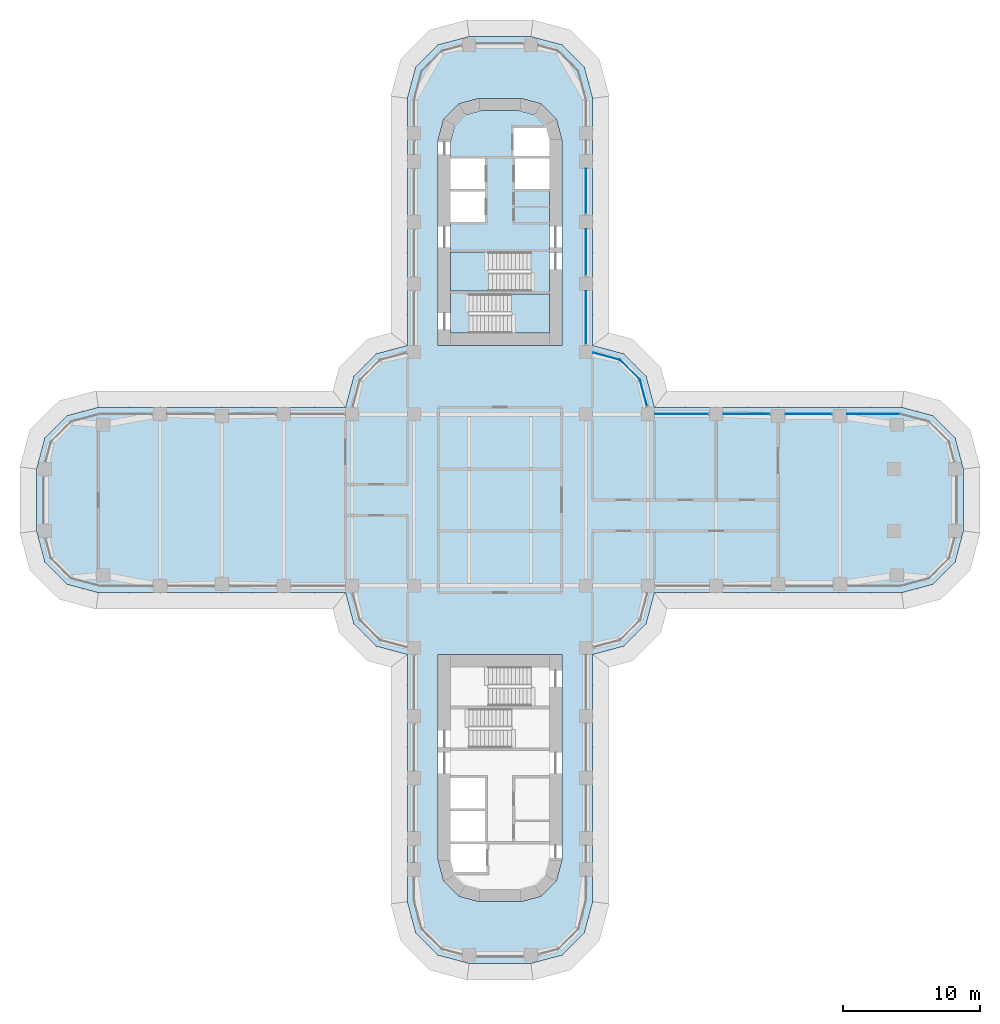
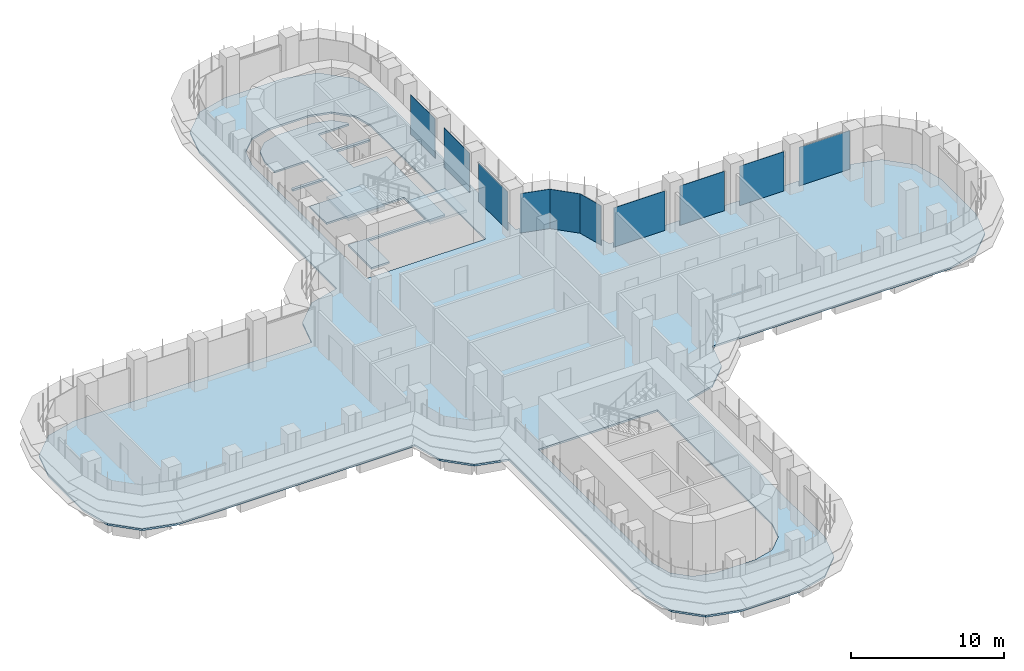
# One storey, part 15 of 23: 10 plates, 4 slabs, 7 elements without a shape of their own.
"""IFC4 building model written with IfcOpenShell, lengths in metres."""

from ifc_helpers import new_model, si_unit, direction, frame, origin, place, context, subcontext, project, spatial, polyline, outline, extrude, source, transform, mapped, material, layer, layer_set, type_object, element, aggregate, save


model = new_model("IFC4")

# Units and contexts
model_context = context("Model", 3, precision=1e-05, world=origin(), true_north=direction((0.0, 1.0)))
body_context = subcontext(model_context, "Body", "Model", "MODEL_VIEW")
ifc_project = project(units=[si_unit("LENGTHUNIT", "METRE"), si_unit("AREAUNIT", "SQUARE_METRE"), si_unit("VOLUMEUNIT", "CUBIC_METRE"), si_unit("PLANEANGLEUNIT", "RADIAN"), si_unit("MASSUNIT", "GRAM", prefix="KILO")], contexts=[model_context])

# Site, building, storey
site_placement = place(None, origin())
site = spatial("IfcSite", under=ifc_project, at=site_placement, CompositionType="ELEMENT")
building_placement = place(site_placement, origin())
building = spatial("IfcBuilding", under=site, at=building_placement, Name="Zarbagh Exchange Tower", CompositionType="ELEMENT")
storey_placement = place(building_placement, frame((0.0, 0.0, 73.199951171875)))
storey = spatial("IfcBuildingStorey", under=building, at=storey_placement, Name="L16", CompositionType="ELEMENT", Elevation=73.199951171875)

# Slabs
ifc_material_1 = material(Name="Concrete C40/50", Category="concrete")
ifc_layer_1 = layer(ifc_material_1, 0.14990234375)
ifc_layer_set_1 = layer_set([ifc_layer_1], Name="Composite floor slab 150 C40/50")
slab_type_1 = type_object("IfcSlabType", Name="Composite floor slab 150 C40/50", PredefinedType="FLOOR", material=ifc_layer_set_1)
slab_1_placement = place(storey_placement, frame((0.0, 0.0, -0.14990234375)))
element("IfcSlab", 1, at=slab_1_placement, inside=storey, type_object=slab_type_1, Name="S5 composite floor slab", PredefinedType="FLOOR", context=body_context, shape_type="SweptSolid", body=[
    extrude(outline(polyline([(-2.25, -33.75), (-4.5, -33.147216796875), (-6.147216796875, -31.5), (-6.75, -29.25), (-6.75, -11.25), (-9.0, -10.647216796875), (-10.647216796875, -9.0), (-11.25, -6.75), (-29.25, -6.75), (-31.5, -6.147216796875), (-33.147216796875, -4.5), (-33.75, -2.25), (-33.75, 2.25), (-33.147216796875, 4.5), (-31.5, 6.147216796875), (-29.25, 6.75), (-11.25, 6.75), (-10.647216796875, 9.0), (-9.0, 10.647216796875), (-6.75, 11.25), (-6.75, 29.25), (-6.147216796875, 31.5), (-4.5, 33.147216796875), (-2.25, 33.75), (2.25, 33.75), (4.5, 33.147216796875), (6.147216796875, 31.5), (6.75, 29.25), (6.75, 11.25), (9.0, 10.647216796875), (10.647216796875, 9.0), (11.25, 6.75), (29.25, 6.75), (31.5, 6.147216796875), (33.147216796875, 4.5), (33.75, 2.25), (33.75, -2.25), (33.147216796875, -4.5), (31.5, -6.147216796875), (29.25, -6.75), (11.25, -6.75), (10.647216796875, -9.0), (9.0, -10.647216796875), (6.75, -11.25), (6.75, -29.25), (6.147216796875, -31.5), (4.5, -33.147216796875), (2.25, -33.75), (-2.25, -33.75)]), holes=[polyline([(4.5, 11.25), (4.5, 26.25), (4.09814453125, 27.75), (3.0, 28.84814453125), (1.5, 29.25), (-1.5, 29.25), (-3.0, 28.84814453125), (-4.09814453125, 27.75), (-4.5, 26.25), (-4.5, 11.25), (4.5, 11.25)]), polyline([(-1.5, -29.25), (1.5, -29.25), (3.0, -28.84814453125), (4.09814453125, -27.75), (4.5, -26.25), (4.5, -11.25), (-4.5, -11.25), (-4.5, -26.25), (-4.09814453125, -27.75), (-3.0, -28.84814453125), (-1.5, -29.25)])]), origin(), (0.0, 0.0, 1.0), 0.14990234375),
])
ifc_layer_2 = layer(ifc_material_1, 0.14990234375)
ifc_layer_set_2 = layer_set([ifc_layer_2], Name="Core floor slab 150 C40/50")
slab_type_2 = type_object("IfcSlabType", Name="Core floor slab 150 C40/50", PredefinedType="FLOOR", material=ifc_layer_set_2)
slab_2_placement = place(storey_placement, frame((0.0, 0.0, -0.14990234375)))
element("IfcSlab", 2, at=slab_2_placement, inside=storey, type_object=slab_type_2, Name="S17 core N", PredefinedType="FLOOR", context=body_context, shape_type="SweptSolid", body=[
    extrude(outline(polyline([(-3.60009765625, 12.14990234375), (-3.60009765625, 15.199951171875), (2.25, 15.199951171875), (2.25, 18.050048828125), (-3.60009765625, 18.050048828125), (-3.60009765625, 20.25), (-1.10009765625, 20.25), (-1.10009765625, 22.449951171875), (-3.60009765625, 22.449951171875), (-3.60009765625, 22.64990234375), (-1.10009765625, 22.64990234375), (-1.10009765625, 24.85009765625), (-3.60009765625, 24.85009765625), (-3.60009765625, 26.131591796875), (-3.291259765625, 27.2841796875), (-2.5341796875, 28.041259765625), (-1.381591796875, 28.35009765625), (1.381591796875, 28.35009765625), (2.5341796875, 28.041259765625), (3.291259765625, 27.2841796875), (3.340576171875, 27.10009765625), (1.0, 27.10009765625), (1.0, 25.050048828125), (3.60009765625, 25.050048828125), (3.60009765625, 24.85009765625), (1.10009765625, 24.85009765625), (1.10009765625, 22.64990234375), (3.60009765625, 22.64990234375), (3.60009765625, 15.0), (-2.25, 15.0), (-2.25, 12.14990234375), (-3.60009765625, 12.14990234375)])), origin(), (0.0, 0.0, 1.0), 0.14990234375),
])

# Stair, slab
stair_type = type_object("IfcStairType", Name="Exit stair two-flight half-turn", PredefinedType="HALF_TURN_STAIR", material=ifc_material_1)
stair_1_placement = place(storey_placement, origin())
stair_1 = element("IfcStair", 3, at=stair_1_placement, inside=storey, type_object=stair_type, Name="exit stair ST1", PredefinedType="HALF_TURN_STAIR")
ifc_layer_3 = layer(ifc_material_1, 0.199951171875)
ifc_layer_set_3 = layer_set([ifc_layer_3], Name="Stair landing 200 mm")
slab_type_3 = type_object("IfcSlabType", Name="Stair landing 200 mm", PredefinedType="LANDING", material=ifc_layer_set_3)
slab_3_placement = place(storey_placement, frame((0.0, 0.0, 1.900146484375)))
slab_3 = element("IfcSlab", 4, at=slab_3_placement, type_object=slab_type_3, Name="ST1 landing 1", PredefinedType="LANDING", context=body_context, shape_type="SweptSolid", body=[
    extrude(outline(polyline([(-0.830078125, 18.050048828125), (-3.60009765625, 18.050048828125), (-3.60009765625, 15.199951171875), (-0.830078125, 15.199951171875), (-0.830078125, 18.050048828125)])), origin(), (0.0, 0.0, 1.0), 0.199951171875),
])
aggregate(stair_1, [slab_3])

stair_2_placement = place(storey_placement, origin())
stair_2 = element("IfcStair", 5, at=stair_2_placement, inside=storey, type_object=stair_type, Name="exit stair ST2", PredefinedType="HALF_TURN_STAIR")
slab_4_placement = place(storey_placement, frame((0.0, 0.0, 1.900146484375)))
slab_4 = element("IfcSlab", 6, at=slab_4_placement, type_object=slab_type_3, Name="ST2 landing 1", PredefinedType="LANDING", context=body_context, shape_type="SweptSolid", body=[
    extrude(outline(polyline([(0.830078125, 12.14990234375), (3.60009765625, 12.14990234375), (3.60009765625, 15.0), (0.830078125, 15.0), (0.830078125, 12.14990234375)])), origin(), (0.0, 0.0, 1.0), 0.199951171875),
])
aggregate(stair_2, [slab_4])

# Curtain wall, plate
ifc_material_2 = material(Name="Anodised aluminium frame and glazing", Category="aluminium")
curtain_wall_type = type_object("IfcCurtainWallType", Name="CWA Ribbon glazing, lower zones", PredefinedType="NOTDEFINED", material=ifc_material_2)
curtain_wall_1_placement = place(storey_placement, origin())
curtain_wall_1 = element("IfcCurtainWall", 7, at=curtain_wall_1_placement, inside=storey, type_object=curtain_wall_type, Name="CWA18 curtain wall", PredefinedType="NOTDEFINED")
ifc_material_3 = material(Name="Low-e double glazed unit, 6+12+6 mm")
ifc_layer_4 = layer(ifc_material_3, 0.028076171875)
ifc_layer_set_4 = layer_set([ifc_layer_4], Name="PAA Glazing panel, Low-e double glazed unit, 6+12+6 mm")
plate_type = type_object("IfcPlateType", Name="PAA Glazing panel, Low-e double glazed unit, 6+12+6 mm", PredefinedType="CURTAIN_PANEL", material=ifc_layer_set_4)
shared_shape_1 = source(origin(), body_context, "Body", "SweptSolid", [
    extrude(outline(polyline([(0.0, -0.013916015625), (2.061279296875, -0.013916015625), (2.061279296875, 0.013916015625), (0.0, 0.013916015625), (0.0, -0.013916015625)])), origin(), (0.0, 0.0, 1.0), 3.14990234375),
])
placement = place(storey_placement, origin())
plate_1 = element("IfcPlate", 8, at=placement, type_object=plate_type, Name="CWA18 glazing panel 1.1", PredefinedType="CURTAIN_PANEL", context=body_context, shape_type="MappedRepresentation", body=[
    mapped(shared_shape_1, transform((10.19873046875, 8.7412109375, 0.0), x_axis=(-0.707106781187, 0.707106781187, 0.0), y_axis=(-0.707106781187, -0.707106781187, 0.0), z_axis=(0.0, 0.0, 1.0))),
])
aggregate(curtain_wall_1, [plate_1])

curtain_wall_2_placement = place(storey_placement, origin())
curtain_wall_2 = element("IfcCurtainWall", 9, at=curtain_wall_2_placement, inside=storey, type_object=curtain_wall_type, Name="CWA20 curtain wall", PredefinedType="NOTDEFINED")
shared_shape_2 = source(origin(), body_context, "Body", "SweptSolid", [
    extrude(outline(polyline([(0.0, -0.013916015625), (3.260009765625, -0.013916015625), (3.260009765625, 0.013916015625), (0.0, 0.013916015625), (0.0, -0.013916015625)])), origin(), (0.0, 0.0, 1.0), 3.14990234375),
])
plate_2 = element("IfcPlate", 10, at=placement, type_object=plate_type, Name="CWA20 glazing panel 3.1", PredefinedType="CURTAIN_PANEL", context=body_context, shape_type="MappedRepresentation", body=[
    mapped(shared_shape_2, transform((6.25, 20.85009765625, 0.0), x_axis=(0.0, 1.0, 0.0), y_axis=(-1.0, 0.0, 0.0), z_axis=(0.0, 0.0, 1.0))),
])

# Curtain wall, plates
curtain_wall_3_placement = place(storey_placement, origin())
curtain_wall_3 = element("IfcCurtainWall", 11, at=curtain_wall_3_placement, inside=storey, type_object=curtain_wall_type, Name="CWA16 curtain wall", PredefinedType="NOTDEFINED")
shared_shape_3 = source(origin(), body_context, "Body", "SweptSolid", [
    extrude(outline(polyline([(0.0, -0.013916015625), (3.360107421875, -0.013916015625), (3.360107421875, 0.013916015625), (0.0, 0.013916015625), (0.0, -0.013916015625)])), origin(), (0.0, 0.0, 1.0), 3.14990234375),
])
plate_3 = element("IfcPlate", 12, at=placement, type_object=plate_type, Name="CWA16 glazing panel 2.1", PredefinedType="CURTAIN_PANEL", context=body_context, shape_type="MappedRepresentation", body=[
    mapped(shared_shape_3, transform((24.14990234375, 6.25, 0.0), x_axis=(-1.0, 0.0, 0.0), y_axis=(0.0, -1.0, 0.0), z_axis=(0.0, 0.0, 1.0))),
])
plate_4 = element("IfcPlate", 13, at=placement, type_object=plate_type, Name="CWA16 glazing panel 3.1", PredefinedType="CURTAIN_PANEL", context=body_context, shape_type="MappedRepresentation", body=[
    mapped(shared_shape_3, transform((19.64990234375, 6.25, 0.0), x_axis=(-1.0, 0.0, 0.0), y_axis=(0.0, -1.0, 0.0), z_axis=(0.0, 0.0, 1.0))),
])

# Plate
plate_5 = element("IfcPlate", 14, at=placement, type_object=plate_type, Name="CWA20 glazing panel 2.1", PredefinedType="CURTAIN_PANEL", context=body_context, shape_type="MappedRepresentation", body=[
    mapped(shared_shape_3, transform((6.25, 16.35009765625, 0.0), x_axis=(0.0, 1.0, 0.0), y_axis=(-1.0, 0.0, 0.0), z_axis=(0.0, 0.0, 1.0))),
])

# Curtain wall, plate
curtain_wall_4_placement = place(storey_placement, origin())
curtain_wall_4 = element("IfcCurtainWall", 15, at=curtain_wall_4_placement, inside=storey, type_object=curtain_wall_type, Name="CWA17 curtain wall", PredefinedType="NOTDEFINED")
shared_shape_4 = source(origin(), body_context, "Body", "SweptSolid", [
    extrude(outline(polyline([(0.0, -0.013916015625), (1.9599609375, -0.013916015625), (1.9599609375, 0.013916015625), (0.0, 0.013916015625), (0.0, -0.013916015625)])), origin(), (0.0, 0.0, 1.0), 3.14990234375),
])
plate_6 = element("IfcPlate", 16, at=placement, type_object=plate_type, Name="CWA17 glazing panel 1.1", PredefinedType="CURTAIN_PANEL", context=body_context, shape_type="MappedRepresentation", body=[
    mapped(shared_shape_4, transform((10.7060546875, 6.847900390625, 0.0), x_axis=(-0.258824779902, 0.965924289636, 0.0), y_axis=(-0.965924289636, -0.258824779902, 0.0), z_axis=(0.0, 0.0, 1.0))),
])
aggregate(curtain_wall_4, [plate_6])

curtain_wall_5_placement = place(storey_placement, origin())
curtain_wall_5 = element("IfcCurtainWall", 17, at=curtain_wall_5_placement, inside=storey, type_object=curtain_wall_type, Name="CWA19 curtain wall", PredefinedType="NOTDEFINED")
shared_shape_5 = source(origin(), body_context, "Body", "SweptSolid", [
    extrude(outline(polyline([(0.0, -0.013916015625), (2.02001953125, -0.013916015625), (2.02001953125, 0.013916015625), (0.0, 0.013916015625), (0.0, -0.013916015625)])), origin(), (0.0, 0.0, 1.0), 3.14990234375),
])
plate_7 = element("IfcPlate", 18, at=placement, type_object=plate_type, Name="CWA19 glazing panel 1.1", PredefinedType="CURTAIN_PANEL", context=body_context, shape_type="MappedRepresentation", body=[
    mapped(shared_shape_5, transform((8.7412109375, 10.19873046875, 0.0), x_axis=(-0.965924289636, 0.258824779902, 0.0), y_axis=(-0.258824779902, -0.965924289636, 0.0), z_axis=(0.0, 0.0, 1.0))),
])
aggregate(curtain_wall_5, [plate_7])

# Plate
shared_shape_6 = source(origin(), body_context, "Body", "SweptSolid", [
    extrude(outline(polyline([(0.0, -0.013916015625), (3.860107421875, -0.013916015625), (3.860107421875, 0.013916015625), (0.0, 0.013916015625), (0.0, -0.013916015625)])), origin(), (0.0, 0.0, 1.0), 3.090087890625),
])
plate_8 = element("IfcPlate", 19, at=placement, type_object=plate_type, Name="CWA20 glazing panel 1.1", PredefinedType="CURTAIN_PANEL", context=body_context, shape_type="MappedRepresentation", body=[
    mapped(shared_shape_6, transform((6.25, 11.35009765625, 0.0), x_axis=(0.0, 1.0, 0.0), y_axis=(-1.0, 0.0, 0.0), z_axis=(0.0, 0.0, 1.0))),
])

aggregate(curtain_wall_2, [plate_8, plate_5, plate_2])

shared_shape_7 = source(origin(), body_context, "Body", "SweptSolid", [
    extrude(outline(polyline([(0.0, -0.013916015625), (3.834228515625, -0.013916015625), (3.834228515625, 0.013916015625), (0.0, 0.013916015625), (0.0, -0.013916015625)])), origin(), (0.0, 0.0, 1.0), 3.090087890625),
])
plate_9 = element("IfcPlate", 20, at=placement, type_object=plate_type, Name="CWA16 glazing panel 1.1", PredefinedType="CURTAIN_PANEL", context=body_context, shape_type="MappedRepresentation", body=[
    mapped(shared_shape_7, transform((29.124267578125, 6.25, 0.0), x_axis=(-1.0, 0.0, 0.0), y_axis=(0.0, -1.0, 0.0), z_axis=(0.0, 0.0, 1.0))),
])

shared_shape_8 = source(origin(), body_context, "Body", "SweptSolid", [
    extrude(outline(polyline([(0.0, -0.013916015625), (3.860107421875, -0.013916015625), (3.860107421875, 0.013916015625), (0.0, 0.013916015625), (0.0, -0.013916015625)])), origin(), (0.0, 0.0, 1.0), 3.14990234375),
])
plate_10 = element("IfcPlate", 21, at=placement, type_object=plate_type, Name="CWA16 glazing panel 4.1", PredefinedType="CURTAIN_PANEL", context=body_context, shape_type="MappedRepresentation", body=[
    mapped(shared_shape_8, transform((15.14990234375, 6.25, 0.0), x_axis=(-1.0, 0.0, 0.0), y_axis=(0.0, -1.0, 0.0), z_axis=(0.0, 0.0, 1.0))),
])

aggregate(curtain_wall_3, [plate_9, plate_3, plate_4, plate_10])

save(model, "model.ifc")
